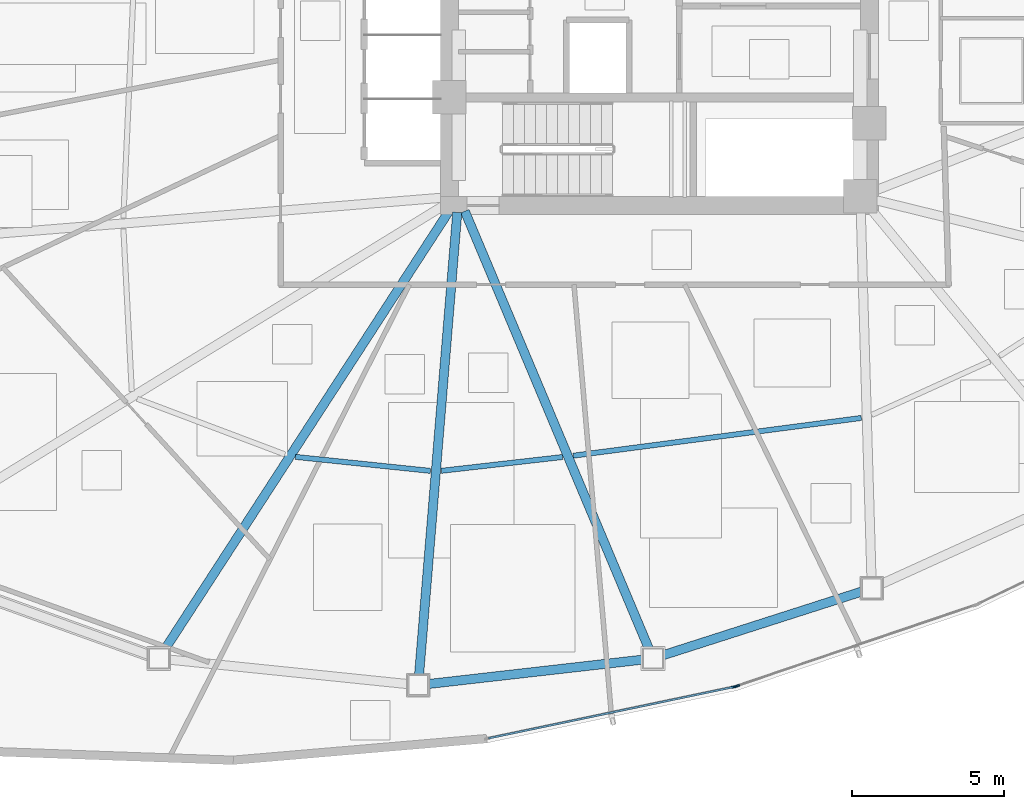
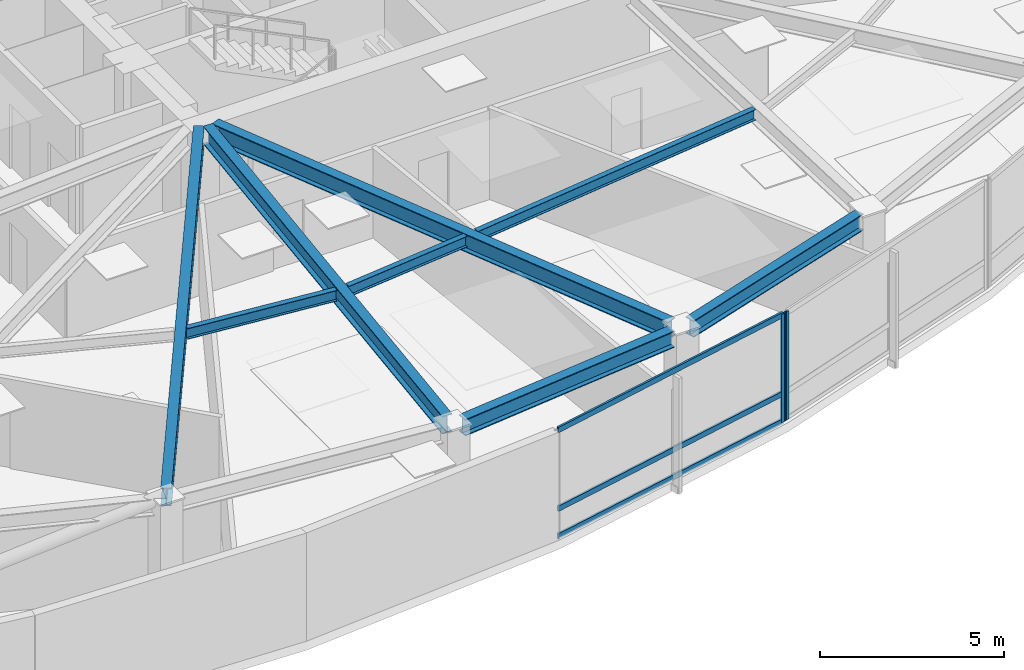
# One storey, part 3 of 17: 8 beams, 5 members, 2 elements without a shape of their own.
"""IFC4 building model written with IfcOpenShell, lengths in metres."""

import ifcopenshell
import ifcopenshell.guid

model = None  # the IFC model being written
_history = None  # IfcOwnerHistory: only IFC2X3 demands one
_inside = {}  # id of a spatial element -> (the spatial element, [elements in it])
_under = {}  # id of a project, library or spatial element -> (it, [spatial elements below it])
_declared = {}  # id of a project -> (the project, [libraries it declares])
_typed = {}  # id of a type object -> (the type object, [elements of that type])
_made_of = {}  # id of a material, layer set ... -> (it, [elements and type objects made of it])


def new_model(schema):
    """Start an empty IFC model of exactly this schema.

    Asked for "IFC4X3", IfcOpenShell would pick the latest addendum, in which some entities
    have other attributes; the version numbers below select the first issue.
    IFC2X3 requires an IfcOwnerHistory on every rooted entity: one is made here for all.
    """
    global model, _history
    if schema == "IFC4X3":
        model = ifcopenshell.file(schema_version=(4, 3, 0, 0))
    else:
        model = ifcopenshell.file(schema=schema)
    _inside.clear()
    _under.clear()
    _declared.clear()
    _typed.clear()
    _made_of.clear()
    _history = None
    if model.schema == "IFC2X3":
        org = make("IfcOrganization", Name="unknown")
        user = make(
            "IfcPersonAndOrganization",
            ThePerson=make("IfcPerson", FamilyName="unknown"),
            TheOrganization=org,
        )
        app = make(
            "IfcApplication",
            ApplicationDeveloper=org,
            Version="unknown",
            ApplicationFullName="unknown",
            ApplicationIdentifier="unknown",
        )
        _history = make(
            "IfcOwnerHistory",
            OwningUser=user,
            OwningApplication=app,
            ChangeAction="ADDED",
            CreationDate=0,
        )
    return model


def make(cls, **values):
    """One entity of the class cls with the attributes given. An attribute that is None is left unset."""
    return model.create_entity(
        cls, **{name: value for name, value in values.items() if value is not None}
    )


def rooted(cls, **values):
    """An entity with a GlobalId (a new one), such as an element, a storey or a relation."""
    return make(cls, GlobalId=ifcopenshell.guid.new(), OwnerHistory=_history, **values)


def si_unit(unit_type, name, prefix=None):
    """IfcSIUnit, for example si_unit("LENGTHUNIT", "METRE", prefix="MILLI")."""
    return make("IfcSIUnit", UnitType=unit_type, Prefix=prefix, Name=name)


def assignment(units):
    """IfcUnitAssignment: the units of a project."""
    return None if units is None else make("IfcUnitAssignment", Units=units)


def point(xyz):
    """IfcCartesianPoint."""
    return None if xyz is None else make("IfcCartesianPoint", Coordinates=xyz)


def direction(xyz):
    """IfcDirection."""
    return None if xyz is None else make("IfcDirection", DirectionRatios=xyz)


def frame(location, z_axis=None, x_axis=None):
    """IfcAxis2Placement3D, a coordinate frame: its origin and axes. An axis left out is left unset."""
    return make(
        "IfcAxis2Placement3D",
        Location=point(location),
        Axis=direction(z_axis),
        RefDirection=direction(x_axis),
    )


def frame_2d(location, x_axis=None):
    """IfcAxis2Placement2D, a coordinate frame in the plane: its origin and x axis."""
    return make(
        "IfcAxis2Placement2D", Location=point(location), RefDirection=direction(x_axis)
    )


def origin():
    """The frame at (0, 0, 0) with its axes left unset."""
    return frame((0.0, 0.0, 0.0))


def origin_2d():
    """The frame at (0, 0) in the plane with its x axis left unset."""
    return frame_2d((0.0, 0.0))


def place(relative_to, where):
    """IfcLocalPlacement: puts the frame where relative to a parent placement (None: the world)."""
    return make(
        "IfcLocalPlacement", PlacementRelTo=relative_to, RelativePlacement=where
    )


def context(
    kind, dimensions, precision=None, world=None, true_north=None, identifier=None
):
    """IfcGeometricRepresentationContext, for example the 3D "Model" context."""
    return make(
        "IfcGeometricRepresentationContext",
        ContextIdentifier=identifier,
        ContextType=kind,
        CoordinateSpaceDimension=dimensions,
        Precision=precision,
        WorldCoordinateSystem=world,
        TrueNorth=true_north,
    )


def subcontext(parent, identifier, kind, view, scale=None):
    """IfcGeometricRepresentationSubContext, for example "Body" below "Model"."""
    return make(
        "IfcGeometricRepresentationSubContext",
        ContextIdentifier=identifier,
        ContextType=kind,
        ParentContext=parent,
        TargetScale=scale,
        TargetView=view,
    )


def project(units=None, contexts=None):
    """IfcProject with its units and contexts."""
    return rooted(
        "IfcProject",
        Name="project",
        RepresentationContexts=contexts,
        UnitsInContext=assignment(units),
    )


def spatial(cls, under=None, at=None, **own):
    """A site, building, storey or space (cls), placed at a placement, below another one or the project."""
    s = rooted(cls, ObjectPlacement=at, **own)
    if under is not None:
        _under.setdefault(under.id(), (under, []))[1].append(s)
    return s


def profile(cls, at=None, kind="AREA", **sizes):
    """A parametric profile (cls). Its sizes go by their IFC names, for example OverallWidth=200.0."""
    return make(cls, ProfileType=kind, Position=at, **sizes)


def hollow_rectangle(**sizes):
    """IfcRectangleHollowProfileDef."""
    return profile("IfcRectangleHollowProfileDef", **sizes)


def i_section(**sizes):
    """IfcIShapeProfileDef."""
    return profile("IfcIShapeProfileDef", **sizes)


def extrude(swept, where, along, depth):
    """IfcExtrudedAreaSolid: the profile swept, set in the frame where, extruded along a direction by depth."""
    return make(
        "IfcExtrudedAreaSolid",
        SweptArea=swept,
        Position=where,
        ExtrudedDirection=direction(along),
        Depth=depth,
    )


def shape(context_of_items, identifier, shape_type, items):
    """IfcShapeRepresentation: the items that make up one representation, for example the "Body"."""
    return make(
        "IfcShapeRepresentation",
        ContextOfItems=context_of_items,
        RepresentationIdentifier=identifier,
        RepresentationType=shape_type,
        Items=items,
    )


def source(mapping_origin, context_of_items, identifier, shape_type, items):
    """IfcRepresentationMap: a shape defined once, which mapped items show again and again."""
    return make(
        "IfcRepresentationMap",
        MappingOrigin=mapping_origin,
        MappedRepresentation=shape(context_of_items, identifier, shape_type, items),
    )


def transform(
    local_origin,
    x_axis=None,
    y_axis=None,
    z_axis=None,
    scale=None,
    scale2=None,
    scale3=None,
    uniform=True,
):
    """IfcCartesianTransformationOperator3D, or its non-uniform kind. x_axis, y_axis, z_axis: its Axis1, 2, 3."""
    if uniform:
        return make(
            "IfcCartesianTransformationOperator3D",
            Axis1=direction(x_axis),
            Axis2=direction(y_axis),
            LocalOrigin=point(local_origin),
            Scale=scale,
            Axis3=direction(z_axis),
        )
    return make(
        "IfcCartesianTransformationOperator3DnonUniform",
        Axis1=direction(x_axis),
        Axis2=direction(y_axis),
        LocalOrigin=point(local_origin),
        Scale=scale,
        Axis3=direction(z_axis),
        Scale2=scale2,
        Scale3=scale3,
    )


def mapped(mapping_source, mapping_target):
    """IfcMappedItem: shows the shape of a source again, moved by a transform."""
    return make(
        "IfcMappedItem", MappingSource=mapping_source, MappingTarget=mapping_target
    )


def material(Name=None, Category=None):
    """IfcMaterial."""
    return make("IfcMaterial", Name=Name, Category=Category)


def layer(
    of_material, thickness, ventilated=None, Name=None, Category=None, Priority=None
):
    """IfcMaterialLayer: one layer of a wall or slab, of a material (None: an air gap)."""
    return make(
        "IfcMaterialLayer",
        Material=of_material,
        LayerThickness=thickness,
        IsVentilated=ventilated,
        Name=Name,
        Category=Category,
        Priority=Priority,
    )


def layer_set(layers, Name=None):
    """IfcMaterialLayerSet."""
    return make("IfcMaterialLayerSet", MaterialLayers=layers, LayerSetName=Name)


def material_profile(
    of_material, cross_section, Name=None, Category=None, Priority=None
):
    """IfcMaterialProfile: a cross section and its material."""
    return make(
        "IfcMaterialProfile",
        Name=Name,
        Material=of_material,
        Profile=cross_section,
        Priority=Priority,
        Category=Category,
    )


def profile_set(profiles, Name=None, composite=None):
    """IfcMaterialProfileSet."""
    return make(
        "IfcMaterialProfileSet",
        Name=Name,
        MaterialProfiles=profiles,
        CompositeProfile=composite,
    )


def made_of(thing, what):
    """Note that an element or type object is made of a material, layer set ...; save() writes the relation."""
    if what is not None:
        _made_of.setdefault(what.id(), (what, []))[1].append(thing)
    return thing


def type_object(cls, material=None, **own):
    """A type object (cls), such as IfcWallType, which elements share."""
    return made_of(rooted(cls, **own), material)


def type_shapes(of_type, sources):
    """Give a type object the sources (RepresentationMaps) that its elements show as mapped items."""
    of_type.RepresentationMaps = sources


def element(
    cls,
    number,
    at=None,
    inside=None,
    cuts=None,
    type_object=None,
    material=None,
    context=None,
    identifier="Body",
    shape_type=None,
    held_by="IfcProductDefinitionShape",
    body=None,
    shapes=None,
    **own,
):
    """One element of the class cls, such as IfcWall. Its Tag is "e" and its number.

    at: its placement. inside: the storey or other place that contains it. cuts: it is an
    opening in that element (IfcRelVoidsElement). A single representation is given by context,
    identifier, shape_type and body (its items); several are given by shapes. held_by: the class
    of the entity that holds the representations. save() writes the other relations.
    """
    e = rooted(cls, Tag="e%d" % number, ObjectPlacement=at, **own)
    if body is not None:
        shapes = [shape(context, identifier, shape_type, body)]
    if shapes is not None:
        e.Representation = make(held_by, Representations=shapes)
    if inside is not None:
        _inside.setdefault(inside.id(), (inside, []))[1].append(e)
    if cuts is not None:
        rooted(
            "IfcRelVoidsElement", RelatingBuildingElement=cuts, RelatedOpeningElement=e
        )
    if type_object is not None:
        _typed.setdefault(type_object.id(), (type_object, []))[1].append(e)
    return made_of(e, material)


def aggregate(whole, parts):
    """IfcRelAggregates: a whole, such as a stair, and the parts it consists of."""
    return rooted("IfcRelAggregates", RelatingObject=whole, RelatedObjects=parts)


def save(model, path):
    """Write the relations noted so far, then the file.

    IfcRelAggregates (storeys below a building ...), IfcRelContainedInSpatialStructure (elements
    in a storey), IfcRelDefinesByType, IfcRelAssociatesMaterial and IfcRelDeclares: one each for
    every whole, place, type object, material and project.
    """
    for whole, parts in _under.values():
        aggregate(whole, parts)
    for where, things in _inside.values():
        rooted(
            "IfcRelContainedInSpatialStructure",
            RelatedElements=things,
            RelatingStructure=where,
        )
    for kind, things in _typed.values():
        rooted("IfcRelDefinesByType", RelatedObjects=things, RelatingType=kind)
    for what, things in _made_of.values():
        rooted("IfcRelAssociatesMaterial", RelatedObjects=things, RelatingMaterial=what)
    for by, libraries in _declared.values():
        rooted("IfcRelDeclares", RelatingContext=by, RelatedDefinitions=libraries)
    model.write(path)


model = new_model("IFC4")

# Units and contexts
model_context = context("Model", 3, precision=1e-05, world=origin(), true_north=direction((0.0, 1.0)))
body_context = subcontext(model_context, "Body", "Model", "MODEL_VIEW")
ifc_project = project(units=[si_unit("LENGTHUNIT", "METRE"), si_unit("AREAUNIT", "SQUARE_METRE"), si_unit("VOLUMEUNIT", "CUBIC_METRE"), si_unit("PLANEANGLEUNIT", "RADIAN"), si_unit("MASSUNIT", "GRAM", prefix="KILO")], contexts=[model_context])

# Site, building, storey
site_placement = place(None, origin())
site = spatial("IfcSite", under=ifc_project, at=site_placement, CompositionType="ELEMENT")
building_placement = place(site_placement, origin())
building = spatial("IfcBuilding", under=site, at=building_placement, Name="Tavelor Broadcast Tower", CompositionType="ELEMENT")
storey_placement = place(building_placement, frame((0.0, 0.0, 90.0)))
storey = spatial("IfcBuildingStorey", under=building, at=storey_placement, Name="L21", CompositionType="ELEMENT", Elevation=90.0)

# Beams
ifc_material_1 = material(Name="Steel S355", Category="steel")
ifc_material_profile_1 = material_profile(ifc_material_1, i_section(OverallWidth=0.169921875, OverallDepth=0.360107421875, WebThickness=0.008056640625, FlangeThickness=0.0126953125, at=origin_2d()), Name="IPE 360")
ifc_profile_set_1 = profile_set([ifc_material_profile_1], Name="Steel S355")
beam_type_1 = type_object("IfcBeamType", Name="Composite Floor Joist T2 IPE 360", PredefinedType="JOIST", material=ifc_profile_set_1)
beam_1_placement = place(storey_placement, frame((38.04052734375, 30.240966796875, 3.419921875), z_axis=(0.99467108558, -0.103099134387, 0.0), x_axis=(0.103099134387, 0.99467108558, 0.0)))
element("IfcBeam", 1, at=beam_1_placement, inside=storey, type_object=beam_type_1, Name="L21 Secondary Composite Floor Joist 08", PredefinedType="JOIST", context=body_context, shape_type="SweptSolid", body=[
    extrude(i_section(OverallWidth=0.169921875, OverallDepth=0.360107421875, WebThickness=0.008056640625, FlangeThickness=0.0126953125, at=origin_2d()), origin(), (0.0, 0.0, 1.0), 4.45654296875),
])
beam_2_placement = place(storey_placement, frame((42.833251953125, 29.783203125, 3.419921875), z_axis=(0.993569155888, 0.113226906995, 0.0), x_axis=(-0.113226906995, 0.993569155888, 0.0)))
element("IfcBeam", 2, at=beam_2_placement, inside=storey, type_object=beam_type_1, Name="L21 Secondary Composite Floor Joist 09", PredefinedType="JOIST", context=body_context, shape_type="SweptSolid", body=[
    extrude(i_section(OverallWidth=0.169921875, OverallDepth=0.360107421875, WebThickness=0.008056640625, FlangeThickness=0.0126953125, at=origin_2d()), origin(), (0.0, 0.0, 1.0), 4.00634765625),
])
beam_3_placement = place(storey_placement, frame((47.173095703125, 30.281005859375, 3.419921875), z_axis=(0.991523318151, 0.129928863469, 0.0), x_axis=(-0.129928863469, 0.991523318151, 0.0)))
element("IfcBeam", 3, at=beam_3_placement, inside=storey, type_object=beam_type_1, Name="L21 Secondary Composite Floor Joist 10", PredefinedType="JOIST", context=body_context, shape_type="SweptSolid", body=[
    extrude(i_section(OverallWidth=0.169921875, OverallDepth=0.360107421875, WebThickness=0.008056640625, FlangeThickness=0.0126953125, at=origin_2d()), origin(), (0.0, 0.0, 1.0), 9.539794921875),
])
ifc_material_profile_2 = material_profile(ifc_material_1, i_section(OverallWidth=0.300048828125, OverallDepth=0.550048828125, WebThickness=0.014892578125, FlangeThickness=0.029052734375, at=origin_2d()), Name="HEB 550")
ifc_profile_set_2 = profile_set([ifc_material_profile_2], Name="Steel S355")
beam_type_2 = type_object("IfcBeamType", Name="Perimeter Spandrel Beam T2 HEB 550", PredefinedType="SPANDREL", material=ifc_profile_set_2)
beam_4_placement = place(storey_placement, frame((42.406982421875, 22.778564453125, 3.324951171875), z_axis=(0.993591905029, 0.113027104096, 0.0), x_axis=(-0.113027104096, 0.993591905029, 0.0)))
element("IfcBeam", 4, at=beam_4_placement, inside=storey, type_object=beam_type_2, Name="L21 Framed-Tube Ring Spandrel 09", PredefinedType="SPANDREL", context=body_context, shape_type="SweptSolid", body=[
    extrude(i_section(OverallWidth=0.300048828125, OverallDepth=0.550048828125, WebThickness=0.014892578125, FlangeThickness=0.029052734375, at=origin_2d()), origin(), (0.0, 0.0, 1.0), 7.09130859375),
])
beam_5_placement = place(storey_placement, frame((50.106689453125, 23.720458984375, 3.324951171875), z_axis=(0.952297103541, 0.305172453849, 0.0), x_axis=(-0.305172453849, 0.952297103541, 0.0)))
element("IfcBeam", 5, at=beam_5_placement, inside=storey, type_object=beam_type_2, Name="L21 Framed-Tube Ring Spandrel 10", PredefinedType="SPANDREL", context=body_context, shape_type="SweptSolid", body=[
    extrude(i_section(OverallWidth=0.300048828125, OverallDepth=0.550048828125, WebThickness=0.014892578125, FlangeThickness=0.029052734375, at=origin_2d()), origin(), (0.0, 0.0, 1.0), 6.876953125),
])
ifc_material_profile_3 = material_profile(ifc_material_1, i_section(OverallWidth=0.300048828125, OverallDepth=0.60009765625, WebThickness=0.015380859375, FlangeThickness=0.030029296875, at=origin_2d()), Name="HEB 600")
ifc_profile_set_3 = profile_set([ifc_material_profile_3], Name="Steel S355")
beam_type_3 = type_object("IfcBeamType", Name="Radial Floor Girder T2 HEB 600", PredefinedType="BEAM", material=ifc_profile_set_3)
beam_6_placement = place(storey_placement, frame((43.11279296875, 38.35693359375, 3.300048828125), z_axis=(-0.544192452451, -0.838960413068, 0.0), x_axis=(0.838960413068, -0.544192452451, 0.0)))
element("IfcBeam", 6, at=beam_6_placement, inside=storey, type_object=beam_type_3, Name="L21 Radial Primary Floor Girder 08", PredefinedType="BEAM", context=body_context, shape_type="SweptSolid", body=[
    extrude(i_section(OverallWidth=0.300048828125, OverallDepth=0.60009765625, WebThickness=0.015380859375, FlangeThickness=0.030029296875, at=origin_2d()), origin(), (0.0, 0.0, 1.0), 17.235107421875),
])
beam_7_placement = place(storey_placement, frame((43.3564453125, 38.273681640625, 3.300048828125), z_axis=(-0.082335312762, -0.996604684051, 0.0), x_axis=(0.996604684051, -0.082335312762, 0.0)))
element("IfcBeam", 7, at=beam_7_placement, inside=storey, type_object=beam_type_3, Name="L21 Radial Primary Floor Girder 09", PredefinedType="BEAM", context=body_context, shape_type="SweptSolid", body=[
    extrude(i_section(OverallWidth=0.300048828125, OverallDepth=0.60009765625, WebThickness=0.015380859375, FlangeThickness=0.030029296875, at=origin_2d()), origin(), (0.0, 0.0, 1.0), 15.25),
])
beam_8_placement = place(storey_placement, frame((43.604736328125, 38.313232421875, 3.300048828125), z_axis=(0.387755556571, -0.921762240683, 0.0), x_axis=(0.921762240683, 0.387755556571, 0.0)))
element("IfcBeam", 8, at=beam_8_placement, inside=storey, type_object=beam_type_3, Name="L21 Radial Primary Floor Girder 10", PredefinedType="BEAM", context=body_context, shape_type="SweptSolid", body=[
    extrude(i_section(OverallWidth=0.300048828125, OverallDepth=0.60009765625, WebThickness=0.015380859375, FlangeThickness=0.030029296875, at=origin_2d()), origin(), (0.0, 0.0, 1.0), 15.6064453125),
])

# Curtain wall, member
ifc_material_2 = material(Name="Architectural Anodized Aluminium", Category="aluminium")
ifc_layer = layer(ifc_material_2, 0.179931640625)
ifc_layer_set = layer_set([ifc_layer], Name="Architectural Anodized Aluminium")
curtain_wall_type = type_object("IfcCurtainWallType", Name="Tower Low-Zone Unitised Curtain Wall CW02", PredefinedType="NOTDEFINED", material=ifc_layer_set)
curtain_wall_1_placement = place(storey_placement, origin())
curtain_wall_1 = element("IfcCurtainWall", 9, at=curtain_wall_1_placement, inside=storey, type_object=curtain_wall_type, Name="L21 Curtain Wall CW02 Run 209", PredefinedType="NOTDEFINED")
ifc_material_profile_4 = material_profile(ifc_material_2, hollow_rectangle(XDim=0.06494140625, YDim=0.179931640625, WallThickness=0.02197265625, at=origin_2d()), Name="RHS 65x180x22")
ifc_profile_set_4 = profile_set([ifc_material_profile_4], Name="Architectural Anodized Aluminium")
member_type_1 = type_object("IfcMemberType", Name="CW02 Extruded Aluminium Mullion 65x180", PredefinedType="MULLION", material=ifc_profile_set_4)
shared_shape_1 = source(origin(), body_context, "Body", "SweptSolid", [
    extrude(hollow_rectangle(XDim=0.06494140625, YDim=0.179931640625, WallThickness=0.02197265625, at=origin_2d()), origin(), (0.0, 0.0, 1.0), 3.60009765625),
])
type_shapes(member_type_1, [shared_shape_1])
member_1_placement = place(storey_placement, frame((52.455322265625, 22.685302734375, 0.0), z_axis=(0.0, 0.0, 1.0), x_axis=(-0.204914124139, 0.978779955725, 0.0)))
member_1 = element("IfcMember", 10, at=member_1_placement, type_object=member_type_1, Name="CW02 mullion 2", PredefinedType="MULLION", context=body_context, shape_type="MappedRepresentation", body=[
    mapped(shared_shape_1, transform((0.0, 0.0, 0.0), scale=1.0)),
])

curtain_wall_2_placement = place(storey_placement, origin())
curtain_wall_2 = element("IfcCurtainWall", 11, at=curtain_wall_2_placement, inside=storey, type_object=curtain_wall_type, Name="L21 Curtain Wall CW02 Run 210", PredefinedType="NOTDEFINED")
member_2_placement = place(storey_placement, frame((52.546875, 22.71044921875, 0.0), z_axis=(0.0, 0.0, 1.0), x_axis=(-0.32185218077, 0.946789931154, 0.0)))
member_2 = element("IfcMember", 12, at=member_2_placement, type_object=member_type_1, Name="CW02 mullion 1", PredefinedType="MULLION", context=body_context, shape_type="MappedRepresentation", body=[
    mapped(shared_shape_1, transform((0.0, 0.0, 0.0), scale=1.0)),
])
aggregate(curtain_wall_2, [member_2])

# Member
ifc_material_profile_5 = material_profile(ifc_material_2, hollow_rectangle(XDim=0.06494140625, YDim=0.179931640625, WallThickness=0.02197265625, at=origin_2d()), Name="RHS 65x180x22")
ifc_profile_set_5 = profile_set([ifc_material_profile_5], Name="Architectural Anodized Aluminium")
member_type_2 = type_object("IfcMemberType", Name="CW02 Extruded Aluminium Transom 65x180", PredefinedType="USERDEFINED", material=ifc_profile_set_5)
shared_shape_2 = source(origin(), body_context, "Body", "SweptSolid", [
    extrude(hollow_rectangle(XDim=0.06494140625, YDim=0.179931640625, WallThickness=0.02197265625, at=origin_2d()), origin(), (0.0, 0.0, 1.0), 8.21875),
])
type_shapes(member_type_2, [shared_shape_2])
member_3_placement = place(storey_placement, frame((44.379150390625, 20.99462890625, 0.032470703125), z_axis=(0.978781758992, 0.204905510577, 0.0), x_axis=(-0.204905510577, 0.978781758992, 0.0)))
member_3 = element("IfcMember", 13, at=member_3_placement, type_object=member_type_2, Name="CW02 transom 1.1", ObjectType="TRANSOM", PredefinedType="USERDEFINED", context=body_context, shape_type="MappedRepresentation", body=[
    mapped(shared_shape_2, transform((0.0, 0.0, 0.0), scale=1.0)),
])

member_4_placement = place(storey_placement, frame((44.379150390625, 20.99462890625, 0.949951171875), z_axis=(0.978781758992, 0.204905510577, 0.0), x_axis=(-0.204905510577, 0.978781758992, 0.0)))
member_4 = element("IfcMember", 14, at=member_4_placement, type_object=member_type_2, Name="CW02 transom 1.2", ObjectType="TRANSOM", PredefinedType="USERDEFINED", context=body_context, shape_type="MappedRepresentation", body=[
    mapped(shared_shape_2, transform((0.0, 0.0, 0.0), scale=1.0)),
])

member_5_placement = place(storey_placement, frame((44.379150390625, 20.99462890625, 3.5673828125), z_axis=(0.978781758992, 0.204905510577, 0.0), x_axis=(-0.204905510577, 0.978781758992, 0.0)))
member_5 = element("IfcMember", 15, at=member_5_placement, type_object=member_type_2, Name="CW02 transom 1.3", ObjectType="TRANSOM", PredefinedType="USERDEFINED", context=body_context, shape_type="MappedRepresentation", body=[
    mapped(shared_shape_2, transform((0.0, 0.0, 0.0), scale=1.0)),
])

aggregate(curtain_wall_1, [member_1, member_3, member_4, member_5])

save(model, "model.ifc")
